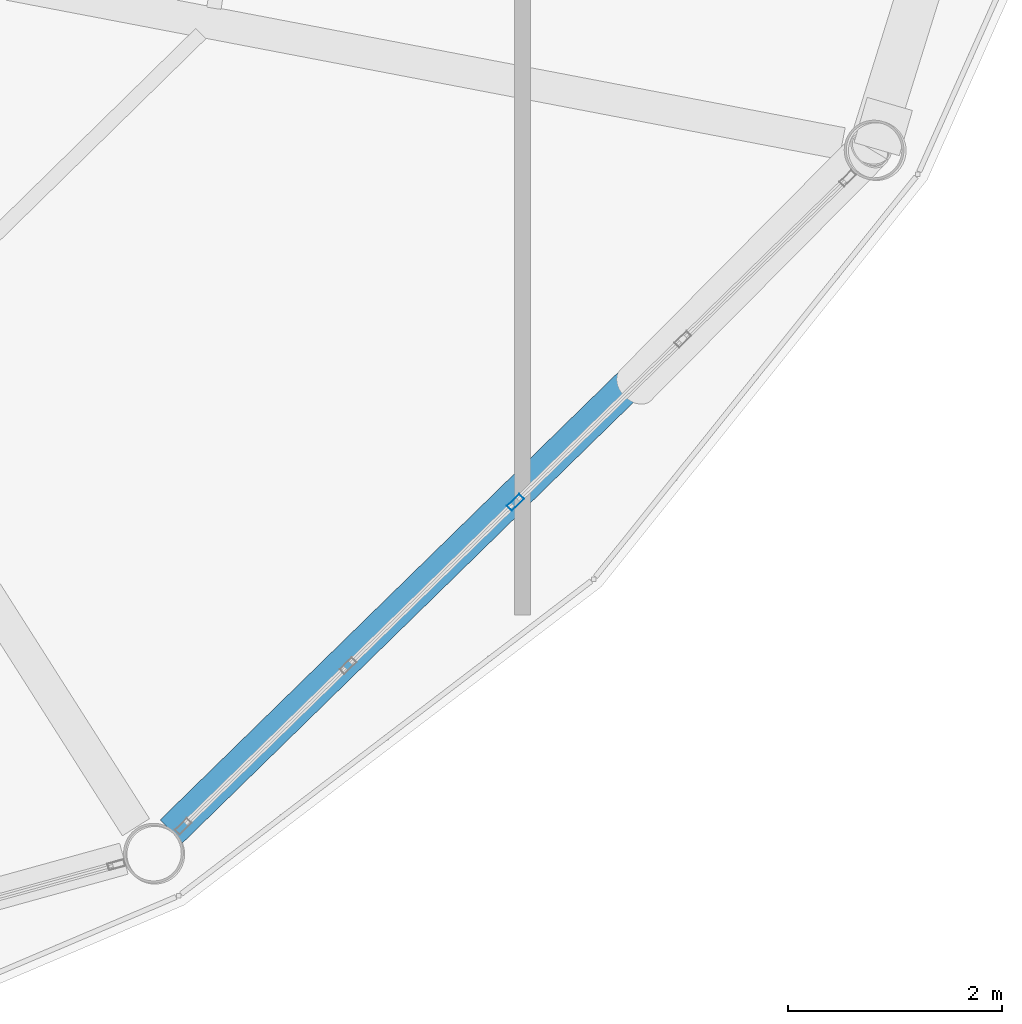
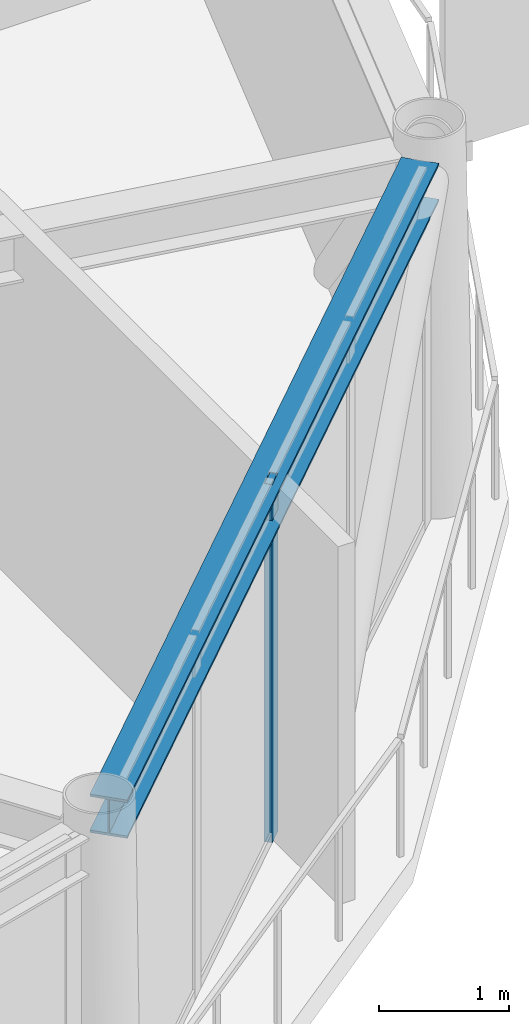
# One storey, part 9 of 27: 1 beam, 1 member, 1 element without a shape of its own.
"""IFC4 building model written with IfcOpenShell, lengths in metres."""

from ifc_helpers import new_model, si_unit, direction, frame, origin, origin_2d, place, context, subcontext, project, spatial, hollow_rectangle, i_section, extrude, material, layer, layer_set, material_profile, profile_set, type_object, element, aggregate, save


model = new_model("IFC4")

# Units and contexts
model_context = context("Model", 3, precision=1e-05, world=origin(), true_north=direction((0.0, 1.0)))
body_context = subcontext(model_context, "Body", "Model", "MODEL_VIEW")
ifc_project = project(units=[si_unit("LENGTHUNIT", "METRE"), si_unit("AREAUNIT", "SQUARE_METRE"), si_unit("VOLUMEUNIT", "CUBIC_METRE"), si_unit("PLANEANGLEUNIT", "RADIAN"), si_unit("MASSUNIT", "GRAM", prefix="KILO")], contexts=[model_context])

# Site, building, storey
site_placement = place(None, origin())
site = spatial("IfcSite", under=ifc_project, at=site_placement, CompositionType="ELEMENT")
building_placement = place(site_placement, origin())
building = spatial("IfcBuilding", under=site, at=building_placement, Name="Varnakorn Sky Granary", CompositionType="ELEMENT")
storey_placement = place(building_placement, frame((0.0, 0.0, 245.39990234375)))
storey = spatial("IfcBuildingStorey", under=building, at=storey_placement, Name="L62", CompositionType="ELEMENT", Elevation=245.39990234375)

# Beam
ifc_material_1 = material(Name="Steel S355JR", Category="steel")
ifc_material_profile_1 = material_profile(ifc_material_1, i_section(OverallWidth=0.300048828125, OverallDepth=0.360107421875, WebThickness=0.012451171875, FlangeThickness=0.0224609375, at=origin_2d()), Name="HE 360 B")
ifc_profile_set_1 = profile_set([ifc_material_profile_1], Name="Steel S355JR")
beam_type = type_object("IfcBeamType", Name="BM-SPD-Z5", PredefinedType="SPANDREL", material=ifc_profile_set_1)
beam_placement = place(storey_placement, frame((14.21923828125, -15.35009765625, 3.18017578125), z_axis=(0.715264777824, 0.698853559485, 0.0), x_axis=(-0.698853559485, 0.715264777824, 0.0)))
element("IfcBeam", 1, at=beam_placement, inside=storey, type_object=beam_type, Name="Perimeter Spandrel Ring Beam RB11 L62", PredefinedType="SPANDREL", context=body_context, shape_type="SweptSolid", body=[
    extrude(i_section(OverallWidth=0.300048828125, OverallDepth=0.360107421875, WebThickness=0.012451171875, FlangeThickness=0.0224609375, at=origin_2d()), origin(), (0.0, 0.0, 1.0), 8.866455078125),
])

# Curtain wall, member
ifc_material_2 = material(Name="Anodised Bronze Aluminium Alloy 6063-T6", Category="aluminium")
ifc_layer = layer(ifc_material_2, 0.159912109375, Name="Anodised Bronze Aluminium Alloy 6063-T6")
ifc_layer_set = layer_set([ifc_layer], Name="Anodised Bronze Aluminium Alloy 6063-T6")
curtain_wall_type = type_object("IfcCurtainWallType", Name="CW-OFF-1", PredefinedType="USERDEFINED", material=ifc_layer_set)
curtain_wall_placement = place(storey_placement, origin())
curtain_wall = element("IfcCurtainWall", 2, at=curtain_wall_placement, inside=storey, type_object=curtain_wall_type, Name="Unitised Curtain Wall CW6 CW-L62-B11", ObjectType="CURTAIN WALL", PredefinedType="USERDEFINED")
ifc_material_profile_2 = material_profile(ifc_material_2, hollow_rectangle(XDim=0.06494140625, YDim=0.159912109375, WallThickness=0.00341796875, at=origin_2d()), Name="ALU MULL 65x160")
ifc_profile_set_2 = profile_set([ifc_material_profile_2], Name="Anodised Bronze Aluminium Alloy 6063-T6")
member_type = type_object("IfcMemberType", Name="CW-OFF-1-MULL", PredefinedType="MULLION", material=ifc_profile_set_2)
member_placement = place(storey_placement, frame((17.4365234375, -12.2744140625, 0.0), z_axis=(0.0, 0.0, 1.0), x_axis=(0.698180615076, -0.715921663823, 0.0)))
member = element("IfcMember", 3, at=member_placement, type_object=member_type, Name="CW6 mullion 3", PredefinedType="MULLION", context=body_context, shape_type="SweptSolid", body=[
    extrude(hollow_rectangle(XDim=0.06494140625, YDim=0.159912109375, WallThickness=0.00341796875, at=origin_2d()), origin(), (0.0, 0.0, 1.0), 3.360107421875),
])
aggregate(curtain_wall, [member])

save(model, "model.ifc")
